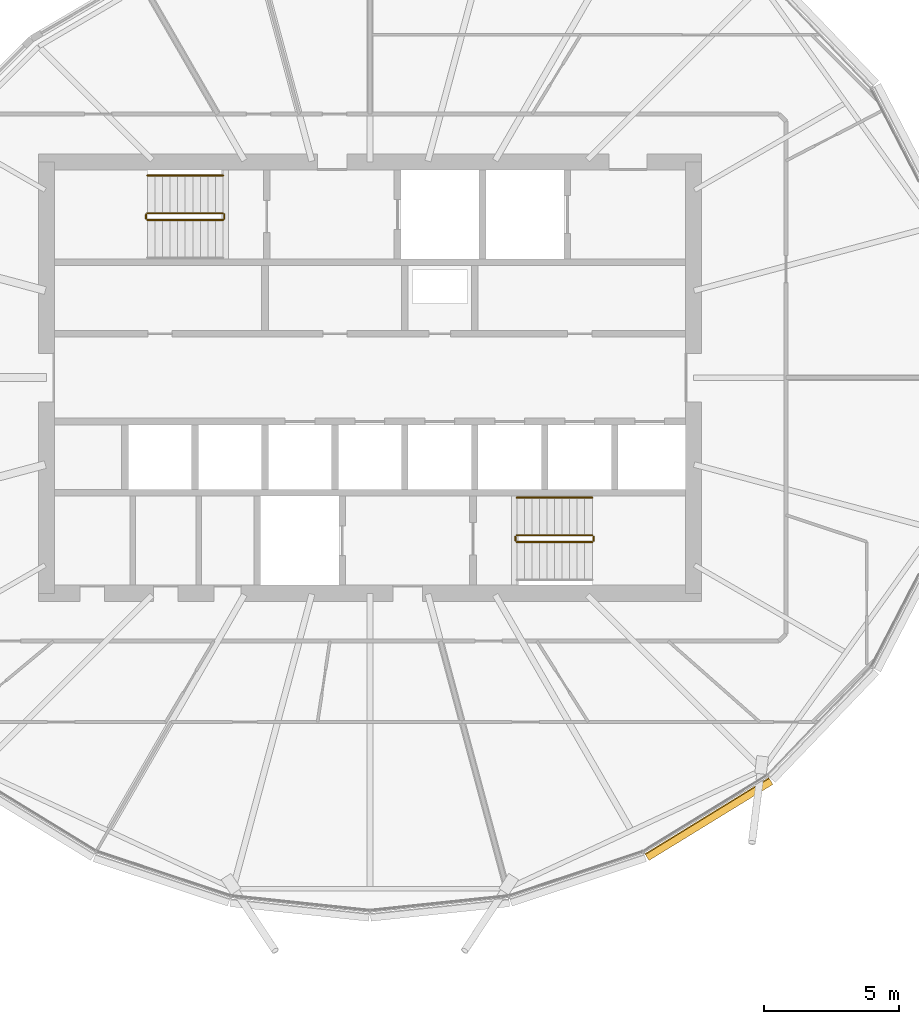
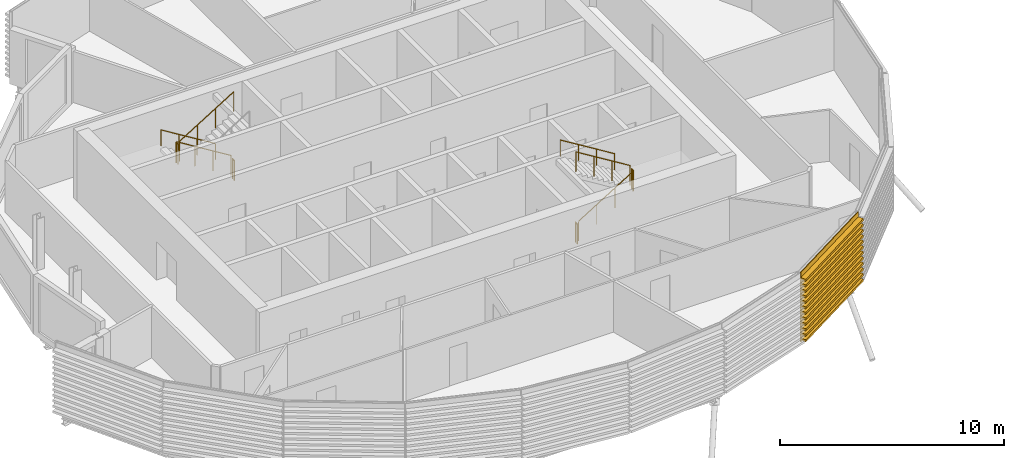
# One storey, part 33 of 37: 10 railings, 1 covering.
"""IFC4 building model written with IfcOpenShell, lengths in metres."""

from ifc_helpers import new_model, si_unit, direction, frame, origin, origin_2d, place, context, subcontext, project, spatial, polyline, circle, outline, extrude, material, material_profile, profile_set, type_object, element, save


model = new_model("IFC4")

# Units and contexts
model_context = context("Model", 3, precision=1e-05, world=origin(), true_north=direction((0.0, 1.0)))
body_context = subcontext(model_context, "Body", "Model", "MODEL_VIEW")
ifc_project = project(units=[si_unit("LENGTHUNIT", "METRE"), si_unit("AREAUNIT", "SQUARE_METRE"), si_unit("VOLUMEUNIT", "CUBIC_METRE"), si_unit("PLANEANGLEUNIT", "RADIAN"), si_unit("MASSUNIT", "GRAM", prefix="KILO")], contexts=[model_context])

# Site, building, storey
site_placement = place(None, origin())
site = spatial("IfcSite", under=ifc_project, at=site_placement, CompositionType="ELEMENT")
building_placement = place(site_placement, origin())
building = spatial("IfcBuilding", under=site, at=building_placement, Name="Rimbun Link Towers", CompositionType="ELEMENT")
storey_placement = place(building_placement, frame((0.0, 0.0, 177.89990234375)))
storey = spatial("IfcBuildingStorey", under=building, at=storey_placement, Name="L43", CompositionType="ELEMENT", Elevation=177.89990234375)

# Railings
ifc_material_1 = material(Name="Stainless steel grade 316", Category="steel")
railing_type_1 = type_object("IfcRailingType", Name="Stair guard", PredefinedType="GUARDRAIL", material=ifc_material_1)
railing_1_placement = place(storey_placement, frame((-37.199951171875, 6.10009765625, 0.1728515625)))
element("IfcRailing", 1, at=railing_1_placement, inside=storey, type_object=railing_type_1, Name="L43 ST1 stair guard 1", PredefinedType="GUARDRAIL", context=body_context, shape_type="SweptSolid", body=[
    extrude(circle(Radius=0.02392578125, at=origin_2d()), frame((0.0, 0.0, 1.076171875), z_axis=(-0.851089632645, 0.0, 0.525020415988), x_axis=(0.0, -1.0, 0.0)), (0.0, 0.0, 1.0), 3.2900390625),
    extrude(circle(Radius=0.02099609375, at=origin_2d()), origin(), (0.0, 0.0, 1.0), 1.052001953125),
    extrude(circle(Radius=0.02099609375, at=origin_2d()), frame((-0.933349609375, 0.0, 0.57568359375)), (0.0, 0.0, 1.0), 1.052001953125),
    extrude(circle(Radius=0.02099609375, at=origin_2d()), frame((-1.86669921875, 0.0, 1.151611328125)), (0.0, 0.0, 1.0), 1.052001953125),
    extrude(circle(Radius=0.02099609375, at=origin_2d()), frame((-2.800048828125, 0.0, 1.727294921875)), (0.0, 0.0, 1.0), 1.052001953125),
])
railing_2_placement = place(storey_placement, frame((-40.050048828125, 6.050048828125, 1.900146484375)))
element("IfcRailing", 2, at=railing_2_placement, inside=storey, type_object=railing_type_1, Name="L43 ST1 stair guard 2", PredefinedType="GUARDRAIL", context=body_context, shape_type="SweptSolid", body=[
    extrude(circle(Radius=0.02392578125, at=origin_2d()), frame((0.0, 0.0, 1.076171875), z_axis=(0.0, -1.0, 0.0), x_axis=(1.0, 0.0, 0.0)), (0.0, 0.0, 1.0), 0.150146484375),
    extrude(circle(Radius=0.02099609375, at=origin_2d()), origin(), (0.0, 0.0, 1.0), 1.052001953125),
    extrude(circle(Radius=0.02099609375, at=origin_2d()), frame((0.0, -0.150146484375, 0.0)), (0.0, 0.0, 1.0), 1.052001953125),
])
railing_3_placement = place(storey_placement, frame((-40.0, 5.85009765625, 2.07275390625)))
element("IfcRailing", 3, at=railing_3_placement, inside=storey, type_object=railing_type_1, Name="L43 ST1 stair guard 3", PredefinedType="GUARDRAIL", context=body_context, shape_type="SweptSolid", body=[
    extrude(circle(Radius=0.02392578125, at=origin_2d()), frame((0.0, 0.0, 1.076171875), z_axis=(0.851089632645, 0.0, 0.525020415988), x_axis=(0.0, 1.0, 0.0)), (0.0, 0.0, 1.0), 3.2900390625),
    extrude(circle(Radius=0.02099609375, at=origin_2d()), origin(), (0.0, 0.0, 1.0), 1.052001953125),
    extrude(circle(Radius=0.02099609375, at=origin_2d()), frame((0.933349609375, 0.0, 0.57568359375)), (0.0, 0.0, 1.0), 1.052001953125),
    extrude(circle(Radius=0.02099609375, at=origin_2d()), frame((1.86669921875, 0.0, 1.151611328125)), (0.0, 0.0, 1.0), 1.052001953125),
    extrude(circle(Radius=0.02099609375, at=origin_2d()), frame((2.800048828125, 0.0, 1.727294921875)), (0.0, 0.0, 1.0), 1.052001953125),
])
railing_4_placement = place(storey_placement, frame((-37.14990234375, 6.050048828125, 0.0)))
element("IfcRailing", 4, at=railing_4_placement, inside=storey, type_object=railing_type_1, Name="L43 ST1 stair guard 4", PredefinedType="GUARDRAIL", context=body_context, shape_type="SweptSolid", body=[
    extrude(circle(Radius=0.02392578125, at=origin_2d()), frame((0.0, 0.0, 1.076171875), z_axis=(0.0, -1.0, 0.0), x_axis=(1.0, 0.0, 0.0)), (0.0, 0.0, 1.0), 0.150146484375),
    extrude(circle(Radius=0.02099609375, at=origin_2d()), origin(), (0.0, 0.0, 1.0), 1.052001953125),
    extrude(circle(Radius=0.02099609375, at=origin_2d()), frame((0.0, -0.150146484375, 0.0)), (0.0, 0.0, 1.0), 1.052001953125),
])
railing_5_placement = place(storey_placement, frame((-26.300048828125, -6.10009765625, 0.1728515625)))
element("IfcRailing", 5, at=railing_5_placement, inside=storey, type_object=railing_type_1, Name="L43 ST2 stair guard 1", PredefinedType="GUARDRAIL", context=body_context, shape_type="SweptSolid", body=[
    extrude(circle(Radius=0.02392578125, at=origin_2d()), frame((0.0, 0.0, 1.076171875), z_axis=(0.851089632645, 0.0, 0.525020415988), x_axis=(0.0, 1.0, 0.0)), (0.0, 0.0, 1.0), 3.2900390625),
    extrude(circle(Radius=0.02099609375, at=origin_2d()), origin(), (0.0, 0.0, 1.0), 1.052001953125),
    extrude(circle(Radius=0.02099609375, at=origin_2d()), frame((0.933349609375, 0.0, 0.57568359375)), (0.0, 0.0, 1.0), 1.052001953125),
    extrude(circle(Radius=0.02099609375, at=origin_2d()), frame((1.86669921875, 0.0, 1.151611328125)), (0.0, 0.0, 1.0), 1.052001953125),
    extrude(circle(Radius=0.02099609375, at=origin_2d()), frame((2.800048828125, 0.0, 1.727294921875)), (0.0, 0.0, 1.0), 1.052001953125),
])
railing_6_placement = place(storey_placement, frame((-23.449951171875, -6.050048828125, 1.900146484375)))
element("IfcRailing", 6, at=railing_6_placement, inside=storey, type_object=railing_type_1, Name="L43 ST2 stair guard 2", PredefinedType="GUARDRAIL", context=body_context, shape_type="SweptSolid", body=[
    extrude(circle(Radius=0.02392578125, at=origin_2d()), frame((0.0, 0.0, 1.076171875), z_axis=(0.0, 1.0, 0.0), x_axis=(-1.0, 0.0, 0.0)), (0.0, 0.0, 1.0), 0.150146484375),
    extrude(circle(Radius=0.02099609375, at=origin_2d()), origin(), (0.0, 0.0, 1.0), 1.052001953125),
    extrude(circle(Radius=0.02099609375, at=origin_2d()), frame((0.0, 0.150146484375, 0.0)), (0.0, 0.0, 1.0), 1.052001953125),
])
railing_7_placement = place(storey_placement, frame((-23.5, -5.85009765625, 2.07275390625)))
element("IfcRailing", 7, at=railing_7_placement, inside=storey, type_object=railing_type_1, Name="L43 ST2 stair guard 3", PredefinedType="GUARDRAIL", context=body_context, shape_type="SweptSolid", body=[
    extrude(circle(Radius=0.02392578125, at=origin_2d()), frame((0.0, 0.0, 1.076171875), z_axis=(-0.851089632645, 0.0, 0.525020415988), x_axis=(0.0, -1.0, 0.0)), (0.0, 0.0, 1.0), 3.2900390625),
    extrude(circle(Radius=0.02099609375, at=origin_2d()), origin(), (0.0, 0.0, 1.0), 1.052001953125),
    extrude(circle(Radius=0.02099609375, at=origin_2d()), frame((-0.933349609375, 0.0, 0.57568359375)), (0.0, 0.0, 1.0), 1.052001953125),
    extrude(circle(Radius=0.02099609375, at=origin_2d()), frame((-1.86669921875, 0.0, 1.151611328125)), (0.0, 0.0, 1.0), 1.052001953125),
    extrude(circle(Radius=0.02099609375, at=origin_2d()), frame((-2.800048828125, 0.0, 1.727294921875)), (0.0, 0.0, 1.0), 1.052001953125),
])
railing_8_placement = place(storey_placement, frame((-26.35009765625, -6.050048828125, 0.0)))
element("IfcRailing", 8, at=railing_8_placement, inside=storey, type_object=railing_type_1, Name="L43 ST2 stair guard 4", PredefinedType="GUARDRAIL", context=body_context, shape_type="SweptSolid", body=[
    extrude(circle(Radius=0.02392578125, at=origin_2d()), frame((0.0, 0.0, 1.076171875), z_axis=(0.0, 1.0, 0.0), x_axis=(-1.0, 0.0, 0.0)), (0.0, 0.0, 1.0), 0.150146484375),
    extrude(circle(Radius=0.02099609375, at=origin_2d()), origin(), (0.0, 0.0, 1.0), 1.052001953125),
    extrude(circle(Radius=0.02099609375, at=origin_2d()), frame((0.0, 0.150146484375, 0.0)), (0.0, 0.0, 1.0), 1.052001953125),
])
ifc_material_2 = material(Name="Stainless steel grade 316", Category="steel")
railing_type_2 = type_object("IfcRailingType", Name="Stair handrail", PredefinedType="HANDRAIL", material=ifc_material_2)
for number, where, name in (
    (9, (-37.199951171875, 7.5, 0.1728515625), "L43 ST1 stair handrail 1"),
    (10, (-23.5, -4.449951171875, 2.07275390625), "L43 ST2 stair handrail 2"),
):
    element("IfcRailing", number, at=place(storey_placement, frame(where)), inside=storey, type_object=railing_type_2, Name=name, PredefinedType="HANDRAIL", context=body_context, shape_type="SweptSolid", body=[
        extrude(circle(Radius=0.02392578125, at=origin_2d()), frame((0.0, 0.0, 0.8759765625), z_axis=(-0.851089632645, 0.0, 0.525020415988), x_axis=(0.0, -1.0, 0.0)), (0.0, 0.0, 1.0), 3.2900390625),
        extrude(circle(Radius=0.02099609375, at=origin_2d()), origin(), (0.0, 0.0, 1.0), 0.851806640625),
        extrude(circle(Radius=0.02099609375, at=origin_2d()), frame((-0.933349609375, 0.0, 0.57568359375)), (0.0, 0.0, 1.0), 0.851806640625),
        extrude(circle(Radius=0.02099609375, at=origin_2d()), frame((-1.86669921875, 0.0, 1.151611328125)), (0.0, 0.0, 1.0), 0.851806640625),
        extrude(circle(Radius=0.02099609375, at=origin_2d()), frame((-2.800048828125, 0.0, 1.727294921875)), (0.0, 0.0, 1.0), 0.851806640625),
    ])

# Covering
ifc_material_3 = material(Name="Terracotta", Category="masonry")
ifc_material_profile = material_profile(ifc_material_3, outline(polyline([(0.123046875, 0.0), (0.1630859375, 0.0), (0.1630859375, 0.10009765625), (0.423095703125, 0.10009765625), (0.423095703125, 0.219970703125), (0.1630859375, 0.219970703125), (0.1630859375, 0.39990234375), (0.423095703125, 0.39990234375), (0.423095703125, 0.52001953125), (0.1630859375, 0.52001953125), (0.1630859375, 0.699951171875), (0.423095703125, 0.699951171875), (0.423095703125, 0.820068359375), (0.1630859375, 0.820068359375), (0.1630859375, 1.0), (0.423095703125, 1.0), (0.423095703125, 1.1201171875), (0.1630859375, 1.1201171875), (0.1630859375, 1.300048828125), (0.423095703125, 1.300048828125), (0.423095703125, 1.419921875), (0.1630859375, 1.419921875), (0.1630859375, 1.60009765625), (0.423095703125, 1.60009765625), (0.423095703125, 1.719970703125), (0.1630859375, 1.719970703125), (0.1630859375, 1.89990234375), (0.423095703125, 1.89990234375), (0.423095703125, 2.02001953125), (0.1630859375, 2.02001953125), (0.1630859375, 2.199951171875), (0.423095703125, 2.199951171875), (0.423095703125, 2.320068359375), (0.1630859375, 2.320068359375), (0.1630859375, 2.5), (0.423095703125, 2.5), (0.423095703125, 2.6201171875), (0.1630859375, 2.6201171875), (0.1630859375, 2.800048828125), (0.423095703125, 2.800048828125), (0.423095703125, 2.919921875), (0.1630859375, 2.919921875), (0.1630859375, 3.10009765625), (0.423095703125, 3.10009765625), (0.423095703125, 3.219970703125), (0.1630859375, 3.219970703125), (0.1630859375, 3.39990234375), (0.423095703125, 3.39990234375), (0.423095703125, 3.52001953125), (0.1630859375, 3.52001953125), (0.1630859375, 3.800048828125), (0.123046875, 3.800048828125), (0.123046875, 0.0)])), Name="BAGUETTE 120X300")
ifc_profile_set = profile_set([ifc_material_profile], Name="Terracotta")
covering_type = type_object("IfcCoveringType", Name="TERRACOTTA BAGUETTE 120X300 H3800", PredefinedType="CLADDING", material=ifc_profile_set)
covering_placement = place(storey_placement, frame((-17.018798828125, -14.731201171875, 0.0), z_axis=(-0.852172287942, -0.523261303426, 0.0), x_axis=(0.523261303426, -0.852172287942, 0.0)))
element("IfcCovering", 11, at=covering_placement, inside=storey, type_object=covering_type, Name="TERRACOTTA BAGUETTE", PredefinedType="CLADDING", context=body_context, shape_type="SweptSolid", body=[
    extrude(outline(polyline([(0.123046875, 0.0), (0.1630859375, 0.0), (0.1630859375, 0.10009765625), (0.423095703125, 0.10009765625), (0.423095703125, 0.219970703125), (0.1630859375, 0.219970703125), (0.1630859375, 0.39990234375), (0.423095703125, 0.39990234375), (0.423095703125, 0.52001953125), (0.1630859375, 0.52001953125), (0.1630859375, 0.699951171875), (0.423095703125, 0.699951171875), (0.423095703125, 0.820068359375), (0.1630859375, 0.820068359375), (0.1630859375, 1.0), (0.423095703125, 1.0), (0.423095703125, 1.1201171875), (0.1630859375, 1.1201171875), (0.1630859375, 1.300048828125), (0.423095703125, 1.300048828125), (0.423095703125, 1.419921875), (0.1630859375, 1.419921875), (0.1630859375, 1.60009765625), (0.423095703125, 1.60009765625), (0.423095703125, 1.719970703125), (0.1630859375, 1.719970703125), (0.1630859375, 1.89990234375), (0.423095703125, 1.89990234375), (0.423095703125, 2.02001953125), (0.1630859375, 2.02001953125), (0.1630859375, 2.199951171875), (0.423095703125, 2.199951171875), (0.423095703125, 2.320068359375), (0.1630859375, 2.320068359375), (0.1630859375, 2.5), (0.423095703125, 2.5), (0.423095703125, 2.6201171875), (0.1630859375, 2.6201171875), (0.1630859375, 2.800048828125), (0.423095703125, 2.800048828125), (0.423095703125, 2.919921875), (0.1630859375, 2.919921875), (0.1630859375, 3.10009765625), (0.423095703125, 3.10009765625), (0.423095703125, 3.219970703125), (0.1630859375, 3.219970703125), (0.1630859375, 3.39990234375), (0.423095703125, 3.39990234375), (0.423095703125, 3.52001953125), (0.1630859375, 3.52001953125), (0.1630859375, 3.800048828125), (0.123046875, 3.800048828125), (0.123046875, 0.0)])), origin(), (0.0, 0.0, 1.0), 5.39404296875),
])

save(model, "model.ifc")
